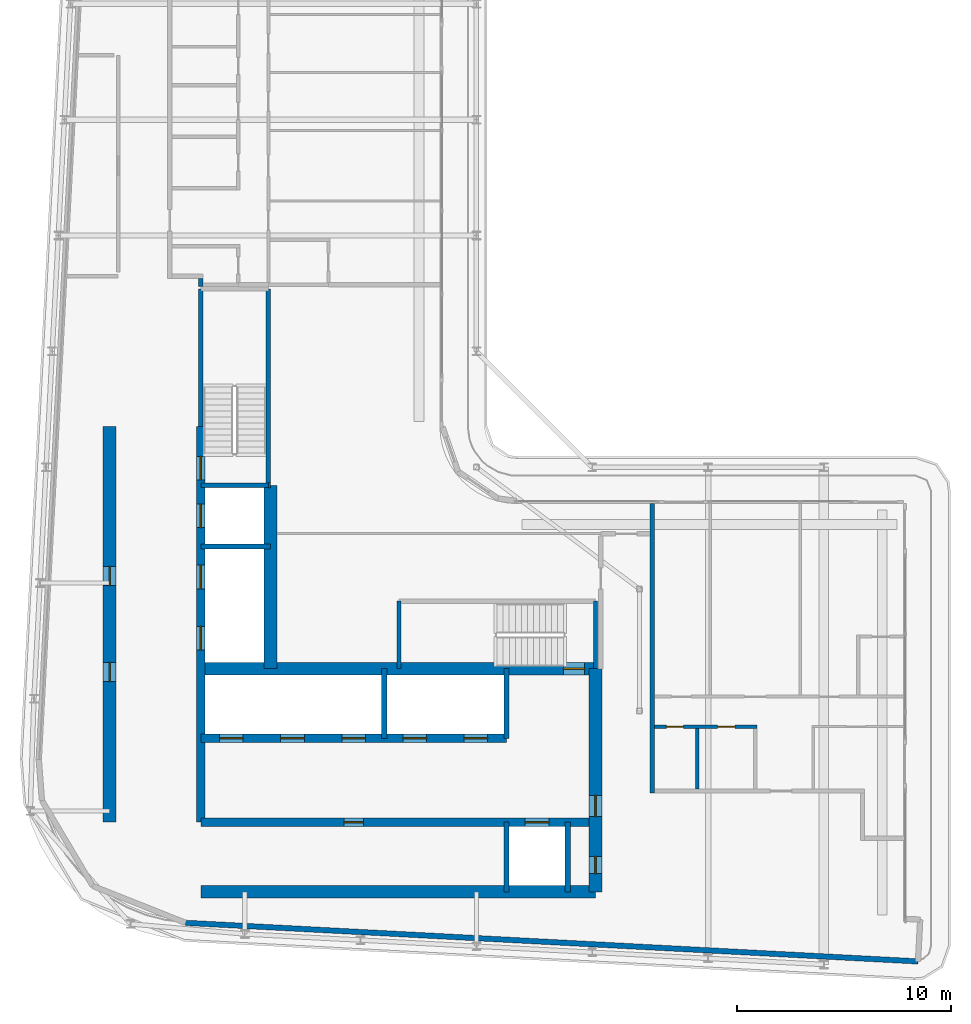
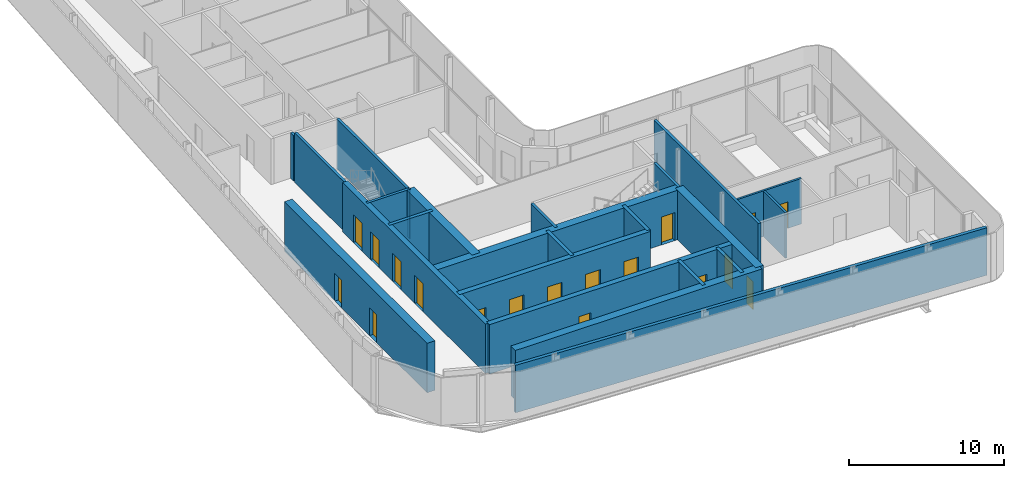
# One storey, part 11 of 21: 24 walls, 18 doors, 18 openings.
"""IFC4 building model written with IfcOpenShell, lengths in metres."""

from ifc_helpers import new_model, si_unit, direction, frame, frame_2d, origin, place, context, subcontext, project, spatial, rectangle, extrude, source, transform, mapped, material, layer, layer_set, type_object, element, fill, save


model = new_model("IFC4")

# Units and contexts
model_context = context("Model", 3, precision=1e-05, world=origin(), true_north=direction((0.0, 1.0)))
body_context = subcontext(model_context, "Body", "Model", "MODEL_VIEW")
ifc_project = project(units=[si_unit("LENGTHUNIT", "METRE"), si_unit("AREAUNIT", "SQUARE_METRE"), si_unit("VOLUMEUNIT", "CUBIC_METRE"), si_unit("PLANEANGLEUNIT", "RADIAN"), si_unit("MASSUNIT", "GRAM", prefix="KILO")], contexts=[model_context])

# Site, building, storey
site_placement = place(None, origin())
site = spatial("IfcSite", under=ifc_project, at=site_placement, CompositionType="ELEMENT")
building_placement = place(site_placement, origin())
building = spatial("IfcBuilding", under=site, at=building_placement, Name="Kheshtan School and Residences Tower", CompositionType="ELEMENT")
storey_placement = place(building_placement, frame((0.0, 0.0, 305.89990234375)))
storey = spatial("IfcBuildingStorey", under=building, at=storey_placement, Name="L72", CompositionType="ELEMENT", Elevation=305.89990234375)

# Wall, openings, doors
ifc_material_1 = material(Name="Concrete C50/60", Category="concrete")
ifc_layer_1 = layer(ifc_material_1, 0.39990234375)
ifc_layer_set_1 = layer_set([ifc_layer_1], Name="Core wall 400 Concrete C50/60")
wall_type_1 = type_object("IfcWallType", Name="Core wall 400 Concrete C50/60", PredefinedType="SHEAR", material=ifc_layer_set_1)
wall_1_placement = place(storey_placement, frame((34.75, 29.050048828125, 0.0), z_axis=(0.0, 0.0, 1.0), x_axis=(1.0, 0.0, 0.0)))
wall_1 = element("IfcWall", 1, at=wall_1_placement, inside=storey, type_object=wall_type_1, Name="Core wall CW-HALL-S1", PredefinedType="SHEAR", context=body_context, shape_type="SweptSolid", body=[
    extrude(rectangle(XDim=18.39990234375, YDim=0.39990234375, at=frame_2d((9.199951171875, 0.0))), origin(), (0.0, 0.0, 1.0), 3.900146484375),
])
opening_1_placement = place(wall_1_placement, frame((15.125, 0.0, 0.0)))
opening_1 = element("IfcOpeningElement", 2, at=opening_1_placement, cuts=wall_1, Name="Opening LD", PredefinedType="OPENING", context=body_context, shape_type="SweptSolid", body=[
    extrude(rectangle(XDim=1.10009765625, YDim=2.199951171875, at=frame_2d((0.550048828125, 1.10009765625))), frame((0.0, 0.2099609375, 0.0), z_axis=(0.0, -1.0, 0.0), x_axis=(1.0, 0.0, 0.0)), (0.0, 0.0, 1.0), 0.419921875),
])
opening_2_placement = place(wall_1_placement, frame((6.675048828125, 0.0, 0.0)))
opening_2 = element("IfcOpeningElement", 3, at=opening_2_placement, cuts=wall_1, Name="Opening SR90", PredefinedType="OPENING", context=body_context, shape_type="SweptSolid", body=[
    extrude(rectangle(XDim=0.89990234375, YDim=2.199951171875, at=frame_2d((0.449951171875, 1.10009765625))), frame((0.0, 0.2099609375, 0.0), z_axis=(0.0, -1.0, 0.0), x_axis=(1.0, 0.0, 0.0)), (0.0, 0.0, 1.0), 0.419921875),
])
ifc_material_2 = material(Name="Stainless steel door leaves", Category="steel")
door_type_1 = type_object("IfcDoorType", Name="Lift landing door 1100", OperationType="SLIDING_TO_LEFT", PredefinedType="DOOR", material=ifc_material_2)
shared_shape_1 = source(origin(), body_context, "Body", "SweptSolid", [
    extrude(rectangle(XDim=1.10009765625, YDim=2.199951171875, at=frame_2d((0.550048828125, 1.10009765625))), frame((0.0, 0.02490234375, 0.0), z_axis=(0.0, -1.0, 0.0), x_axis=(1.0, 0.0, 0.0)), (0.0, 0.0, 1.0), 0.050048828125),
])
door_1_placement = place(opening_1_placement, origin())
door_1 = element("IfcDoor", 4, at=door_1_placement, inside=storey, type_object=door_type_1, Name="Lift FFL2 landing door", OperationType="SLIDING_TO_LEFT", OverallHeight=2.199951171875, OverallWidth=1.10009765625, PredefinedType="DOOR", context=body_context, shape_type="MappedRepresentation", body=[
    mapped(shared_shape_1, transform((0.0, 0.0, 0.0), x_axis=(1.0, 0.0, 0.0), y_axis=(0.0, 1.0, 0.0), z_axis=(0.0, 0.0, 1.0), scale=1.0)),
])
fill(opening_1, door_1)
ifc_material_3 = material(Name="Steel door leaf, galvanised", Category="steel")
door_type_2 = type_object("IfcDoorType", Name="Service room door 900 steel 90 min", OperationType="SINGLE_SWING_LEFT", PredefinedType="DOOR", material=ifc_material_3)
shared_shape_2 = source(origin(), body_context, "Body", "SweptSolid", [
    extrude(rectangle(XDim=0.89990234375, YDim=2.199951171875, at=frame_2d((0.449951171875, 1.10009765625))), frame((0.0, 0.02490234375, 0.0), z_axis=(0.0, -1.0, 0.0), x_axis=(1.0, 0.0, 0.0)), (0.0, 0.0, 1.0), 0.050048828125),
])
door_2_placement = place(opening_2_placement, origin())
door_2 = element("IfcDoor", 5, at=door_2_placement, inside=storey, type_object=door_type_2, Name="Service room door", OperationType="SINGLE_SWING_RIGHT", OverallHeight=2.199951171875, OverallWidth=0.89990234375, PredefinedType="DOOR", context=body_context, shape_type="MappedRepresentation", body=[
    mapped(shared_shape_2, transform((0.0, 0.0, 0.0), x_axis=(1.0, 0.0, 0.0), y_axis=(0.0, 1.0, 0.0), z_axis=(0.0, 0.0, 1.0), scale=1.0)),
])
fill(opening_2, door_2)

wall_2_placement = place(storey_placement, frame((34.75, 32.949951171875, 0.0), z_axis=(0.0, 0.0, 1.0), x_axis=(1.0, 0.0, 0.0)))
wall_2 = element("IfcWall", 6, at=wall_2_placement, inside=storey, type_object=wall_type_1, Name="Core wall CW-HALL-S2", PredefinedType="SHEAR", context=body_context, shape_type="SweptSolid", body=[
    extrude(rectangle(XDim=14.25, YDim=0.39990234375, at=frame_2d((7.125, 0.0))), origin(), (0.0, 0.0, 1.0), 3.900146484375),
])
opening_3_placement = place(wall_2_placement, frame((0.875, 0.0, 0.0)))
opening_3 = element("IfcOpeningElement", 7, at=opening_3_placement, cuts=wall_2, Name="Opening LD", PredefinedType="OPENING", context=body_context, shape_type="SweptSolid", body=[
    extrude(rectangle(XDim=1.10009765625, YDim=2.199951171875, at=frame_2d((0.550048828125, 1.10009765625))), frame((0.0, 0.2099609375, 0.0), z_axis=(0.0, -1.0, 0.0), x_axis=(1.0, 0.0, 0.0)), (0.0, 0.0, 1.0), 0.419921875),
])
opening_4_placement = place(wall_2_placement, frame((3.72509765625, 0.0, 0.0)))
opening_4 = element("IfcOpeningElement", 8, at=opening_4_placement, cuts=wall_2, Name="Opening LD", PredefinedType="OPENING", context=body_context, shape_type="SweptSolid", body=[
    extrude(rectangle(XDim=1.10009765625, YDim=2.199951171875, at=frame_2d((0.550048828125, 1.10009765625))), frame((0.0, 0.2099609375, 0.0), z_axis=(0.0, -1.0, 0.0), x_axis=(1.0, 0.0, 0.0)), (0.0, 0.0, 1.0), 0.419921875),
])
opening_5_placement = place(wall_2_placement, frame((6.574951171875, 0.0, 0.0)))
opening_5 = element("IfcOpeningElement", 9, at=opening_5_placement, cuts=wall_2, Name="Opening LD", PredefinedType="OPENING", context=body_context, shape_type="SweptSolid", body=[
    extrude(rectangle(XDim=1.10009765625, YDim=2.199951171875, at=frame_2d((0.550048828125, 1.10009765625))), frame((0.0, 0.2099609375, 0.0), z_axis=(0.0, -1.0, 0.0), x_axis=(1.0, 0.0, 0.0)), (0.0, 0.0, 1.0), 0.419921875),
])
opening_6_placement = place(wall_2_placement, frame((9.425048828125, 0.0, 0.0)))
opening_6 = element("IfcOpeningElement", 10, at=opening_6_placement, cuts=wall_2, Name="Opening LD", PredefinedType="OPENING", context=body_context, shape_type="SweptSolid", body=[
    extrude(rectangle(XDim=1.10009765625, YDim=2.199951171875, at=frame_2d((0.550048828125, 1.10009765625))), frame((0.0, 0.2099609375, 0.0), z_axis=(0.0, -1.0, 0.0), x_axis=(1.0, 0.0, 0.0)), (0.0, 0.0, 1.0), 0.419921875),
])
opening_7_placement = place(wall_2_placement, frame((12.27490234375, 0.0, 0.0)))
opening_7 = element("IfcOpeningElement", 11, at=opening_7_placement, cuts=wall_2, Name="Opening LD", PredefinedType="OPENING", context=body_context, shape_type="SweptSolid", body=[
    extrude(rectangle(XDim=1.10009765625, YDim=2.199951171875, at=frame_2d((0.550048828125, 1.10009765625))), frame((0.0, 0.2099609375, 0.0), z_axis=(0.0, -1.0, 0.0), x_axis=(1.0, 0.0, 0.0)), (0.0, 0.0, 1.0), 0.419921875),
])
door_3_placement = place(opening_3_placement, origin())
door_3 = element("IfcDoor", 12, at=door_3_placement, inside=storey, type_object=door_type_1, Name="Lift P12 landing door", OperationType="SLIDING_TO_LEFT", OverallHeight=2.199951171875, OverallWidth=1.10009765625, PredefinedType="DOOR", context=body_context, shape_type="MappedRepresentation", body=[
    mapped(shared_shape_1, transform((0.0, 0.0, 0.0), x_axis=(1.0, 0.0, 0.0), y_axis=(0.0, 1.0, 0.0), z_axis=(0.0, 0.0, 1.0), scale=1.0)),
])
fill(opening_3, door_3)
door_4_placement = place(opening_4_placement, origin())
door_4 = element("IfcDoor", 13, at=door_4_placement, inside=storey, type_object=door_type_1, Name="Lift P13 landing door", OperationType="SLIDING_TO_LEFT", OverallHeight=2.199951171875, OverallWidth=1.10009765625, PredefinedType="DOOR", context=body_context, shape_type="MappedRepresentation", body=[
    mapped(shared_shape_1, transform((0.0, 0.0, 0.0), x_axis=(1.0, 0.0, 0.0), y_axis=(0.0, 1.0, 0.0), z_axis=(0.0, 0.0, 1.0), scale=1.0)),
])
fill(opening_4, door_4)
door_5_placement = place(opening_5_placement, origin())
door_5 = element("IfcDoor", 14, at=door_5_placement, inside=storey, type_object=door_type_1, Name="Lift P14 landing door", OperationType="SLIDING_TO_LEFT", OverallHeight=2.199951171875, OverallWidth=1.10009765625, PredefinedType="DOOR", context=body_context, shape_type="MappedRepresentation", body=[
    mapped(shared_shape_1, transform((0.0, 0.0, 0.0), x_axis=(1.0, 0.0, 0.0), y_axis=(0.0, 1.0, 0.0), z_axis=(0.0, 0.0, 1.0), scale=1.0)),
])
fill(opening_5, door_5)
door_6_placement = place(opening_6_placement, origin())
door_6 = element("IfcDoor", 15, at=door_6_placement, inside=storey, type_object=door_type_1, Name="Lift P15 landing door", OperationType="SLIDING_TO_LEFT", OverallHeight=2.199951171875, OverallWidth=1.10009765625, PredefinedType="DOOR", context=body_context, shape_type="MappedRepresentation", body=[
    mapped(shared_shape_1, transform((0.0, 0.0, 0.0), x_axis=(1.0, 0.0, 0.0), y_axis=(0.0, 1.0, 0.0), z_axis=(0.0, 0.0, 1.0), scale=1.0)),
])
fill(opening_6, door_6)
door_7_placement = place(opening_7_placement, origin())
door_7 = element("IfcDoor", 16, at=door_7_placement, inside=storey, type_object=door_type_1, Name="Lift P16 landing door", OperationType="SLIDING_TO_LEFT", OverallHeight=2.199951171875, OverallWidth=1.10009765625, PredefinedType="DOOR", context=body_context, shape_type="MappedRepresentation", body=[
    mapped(shared_shape_1, transform((0.0, 0.0, 0.0), x_axis=(1.0, 0.0, 0.0), y_axis=(0.0, 1.0, 0.0), z_axis=(0.0, 0.0, 1.0), scale=1.0)),
])
fill(opening_7, door_7)

wall_3_placement = place(storey_placement, frame((34.75, 29.050048828125, 0.0), z_axis=(0.0, 0.0, 1.0), x_axis=(0.0, 1.0, 0.0)))
wall_3 = element("IfcWall", 17, at=wall_3_placement, inside=storey, type_object=wall_type_1, Name="Core wall CW-HALL-W1", PredefinedType="SHEAR", context=body_context, shape_type="SweptSolid", body=[
    extrude(rectangle(XDim=18.449951171875, YDim=0.39990234375, at=frame_2d((9.22509765625, 0.0))), origin(), (0.0, 0.0, 1.0), 3.900146484375),
])
opening_8_placement = place(wall_3_placement, frame((8.02490234375, 0.0, 0.0)))
opening_8 = element("IfcOpeningElement", 18, at=opening_8_placement, cuts=wall_3, Name="Opening LD", PredefinedType="OPENING", context=body_context, shape_type="SweptSolid", body=[
    extrude(rectangle(XDim=1.10009765625, YDim=2.199951171875, at=frame_2d((0.550048828125, 1.10009765625))), frame((0.0, 0.2099609375, 0.0), z_axis=(0.0, -1.0, 0.0), x_axis=(1.0, 0.0, 0.0)), (0.0, 0.0, 1.0), 0.419921875),
])
opening_9_placement = place(wall_3_placement, frame((10.875, 0.0, 0.0)))
opening_9 = element("IfcOpeningElement", 19, at=opening_9_placement, cuts=wall_3, Name="Opening LD", PredefinedType="OPENING", context=body_context, shape_type="SweptSolid", body=[
    extrude(rectangle(XDim=1.10009765625, YDim=2.199951171875, at=frame_2d((0.550048828125, 1.10009765625))), frame((0.0, 0.2099609375, 0.0), z_axis=(0.0, -1.0, 0.0), x_axis=(1.0, 0.0, 0.0)), (0.0, 0.0, 1.0), 0.419921875),
])
opening_10_placement = place(wall_3_placement, frame((13.72509765625, 0.0, 0.0)))
opening_10 = element("IfcOpeningElement", 20, at=opening_10_placement, cuts=wall_3, Name="Opening LD", PredefinedType="OPENING", context=body_context, shape_type="SweptSolid", body=[
    extrude(rectangle(XDim=1.10009765625, YDim=2.199951171875, at=frame_2d((0.550048828125, 1.10009765625))), frame((0.0, 0.2099609375, 0.0), z_axis=(0.0, -1.0, 0.0), x_axis=(1.0, 0.0, 0.0)), (0.0, 0.0, 1.0), 0.419921875),
])
opening_11_placement = place(wall_3_placement, frame((15.949951171875, 0.0, 0.0)))
opening_11 = element("IfcOpeningElement", 21, at=opening_11_placement, cuts=wall_3, Name="Opening ST2D", PredefinedType="OPENING", context=body_context, shape_type="SweptSolid", body=[
    extrude(rectangle(XDim=1.10009765625, YDim=2.199951171875, at=frame_2d((0.550048828125, 1.10009765625))), frame((0.0, 0.2099609375, 0.0), z_axis=(0.0, -1.0, 0.0), x_axis=(1.0, 0.0, 0.0)), (0.0, 0.0, 1.0), 0.419921875),
])
door_8_placement = place(opening_8_placement, origin())
door_8 = element("IfcDoor", 22, at=door_8_placement, inside=storey, type_object=door_type_1, Name="Lift SV1 landing door", OperationType="SLIDING_TO_LEFT", OverallHeight=2.199951171875, OverallWidth=1.10009765625, PredefinedType="DOOR", context=body_context, shape_type="MappedRepresentation", body=[
    mapped(shared_shape_1, transform((0.0, 0.0, 0.0), x_axis=(1.0, 0.0, 0.0), y_axis=(0.0, 1.0, 0.0), z_axis=(0.0, 0.0, 1.0), scale=1.0)),
])
fill(opening_8, door_8)
door_9_placement = place(opening_9_placement, origin())
door_9 = element("IfcDoor", 23, at=door_9_placement, inside=storey, type_object=door_type_1, Name="Lift SV2 landing door", OperationType="SLIDING_TO_LEFT", OverallHeight=2.199951171875, OverallWidth=1.10009765625, PredefinedType="DOOR", context=body_context, shape_type="MappedRepresentation", body=[
    mapped(shared_shape_1, transform((0.0, 0.0, 0.0), x_axis=(1.0, 0.0, 0.0), y_axis=(0.0, 1.0, 0.0), z_axis=(0.0, 0.0, 1.0), scale=1.0)),
])
fill(opening_9, door_9)
door_10_placement = place(opening_10_placement, origin())
door_10 = element("IfcDoor", 24, at=door_10_placement, inside=storey, type_object=door_type_1, Name="Lift FFL1 landing door", OperationType="SLIDING_TO_LEFT", OverallHeight=2.199951171875, OverallWidth=1.10009765625, PredefinedType="DOOR", context=body_context, shape_type="MappedRepresentation", body=[
    mapped(shared_shape_1, transform((0.0, 0.0, 0.0), x_axis=(1.0, 0.0, 0.0), y_axis=(0.0, 1.0, 0.0), z_axis=(0.0, 0.0, 1.0), scale=1.0)),
])
fill(opening_10, door_10)
door_type_3 = type_object("IfcDoorType", Name="Stair door 1100 steel 90 min", OperationType="SINGLE_SWING_LEFT", PredefinedType="DOOR", material=ifc_material_3)
shared_shape_3 = source(origin(), body_context, "Body", "SweptSolid", [
    extrude(rectangle(XDim=1.10009765625, YDim=2.199951171875, at=frame_2d((0.550048828125, 1.10009765625))), frame((0.0, 0.02490234375, 0.0), z_axis=(0.0, -1.0, 0.0), x_axis=(1.0, 0.0, 0.0)), (0.0, 0.0, 1.0), 0.050048828125),
])
door_11_placement = place(opening_11_placement, origin())
door_11 = element("IfcDoor", 25, at=door_11_placement, inside=storey, type_object=door_type_3, Name="Stair ST2 door", OperationType="SINGLE_SWING_RIGHT", OverallHeight=2.199951171875, OverallWidth=1.10009765625, PredefinedType="DOOR", context=body_context, shape_type="MappedRepresentation", body=[
    mapped(shared_shape_3, transform((0.0, 0.0, 0.0), x_axis=(1.0, 0.0, 0.0), y_axis=(0.0, 1.0, 0.0), z_axis=(0.0, 0.0, 1.0), scale=1.0)),
])
fill(opening_11, door_11)

# Wall
ifc_material_4 = material(Name="Concrete C60/75", Category="concrete")
ifc_layer_2 = layer(ifc_material_4, 0.60009765625)
ifc_layer_set_2 = layer_set([ifc_layer_2], Name="Core wall 600 Concrete C60/75")
wall_type_2 = type_object("IfcWallType", Name="Core wall 600 Concrete C60/75", PredefinedType="SHEAR", material=ifc_layer_set_2)
wall_4_placement = place(storey_placement, frame((34.75, 25.800048828125, 0.0), z_axis=(0.0, 0.0, 1.0), x_axis=(1.0, 0.0, 0.0)))
element("IfcWall", 26, at=wall_4_placement, inside=storey, type_object=wall_type_2, Name="Core wall CW-REAR-S", PredefinedType="SHEAR", context=body_context, shape_type="SweptSolid", body=[
    extrude(rectangle(XDim=18.39990234375, YDim=0.60009765625, at=frame_2d((9.199951171875, 0.0))), origin(), (0.0, 0.0, 1.0), 3.900146484375),
])

# Wall, opening, door
wall_5_placement = place(storey_placement, frame((34.75, 36.199951171875, 0.0), z_axis=(0.0, 0.0, 1.0), x_axis=(1.0, 0.0, 0.0)))
wall_5 = element("IfcWall", 27, at=wall_5_placement, inside=storey, type_object=wall_type_2, Name="Core wall CW-FRONT-S", PredefinedType="SHEAR", context=body_context, shape_type="SweptSolid", body=[
    extrude(rectangle(XDim=18.39990234375, YDim=0.60009765625, at=frame_2d((9.199951171875, 0.0))), origin(), (0.0, 0.0, 1.0), 3.900146484375),
])
opening_12_placement = place(wall_5_placement, frame((16.89990234375, 0.0, 0.0)))
opening_12 = element("IfcOpeningElement", 28, at=opening_12_placement, cuts=wall_5, Name="Opening ST1D", PredefinedType="OPENING", context=body_context, shape_type="SweptSolid", body=[
    extrude(rectangle(XDim=1.0, YDim=2.199951171875, at=frame_2d((0.5, 1.10009765625))), frame((0.0, 0.31005859375, 0.0), z_axis=(0.0, -1.0, 0.0), x_axis=(1.0, 0.0, 0.0)), (0.0, 0.0, 1.0), 0.6201171875),
])
shared_shape_4 = source(origin(), body_context, "Body", "SweptSolid", [
    extrude(rectangle(XDim=1.0, YDim=2.199951171875, at=frame_2d((0.5, 1.10009765625))), frame((0.0, 0.02490234375, 0.0), z_axis=(0.0, -1.0, 0.0), x_axis=(1.0, 0.0, 0.0)), (0.0, 0.0, 1.0), 0.050048828125),
])
door_12_placement = place(opening_12_placement, origin())
door_12 = element("IfcDoor", 29, at=door_12_placement, inside=storey, type_object=door_type_3, Name="Stair ST1 door", OperationType="SINGLE_SWING_RIGHT", OverallHeight=2.199951171875, OverallWidth=1.0, PredefinedType="DOOR", context=body_context, shape_type="MappedRepresentation", body=[
    mapped(shared_shape_4, transform((0.0, 0.0, 0.0), x_axis=(1.0, 0.0, 0.0), y_axis=(0.0, 1.0, 0.0), z_axis=(0.0, 0.0, 1.0), scale=1.0)),
])
fill(opening_12, door_12)

# Wall
wall_6_placement = place(storey_placement, frame((38.0, 36.199951171875, 0.0), z_axis=(0.0, 0.0, 1.0), x_axis=(0.0, 1.0, 0.0)))
element("IfcWall", 30, at=wall_6_placement, inside=storey, type_object=wall_type_2, Name="Core wall CW-FRONT-W", PredefinedType="SHEAR", context=body_context, shape_type="SweptSolid", body=[
    extrude(rectangle(XDim=8.550048828125, YDim=0.60009765625, at=frame_2d((4.27490234375, 0.0))), origin(), (0.0, 0.0, 1.0), 3.900146484375),
])

# Wall, openings, doors
wall_7_placement = place(storey_placement, frame((30.5, 29.050048828125, 0.0), z_axis=(0.0, 0.0, 1.0), x_axis=(0.0, 1.0, 0.0)))
wall_7 = element("IfcWall", 31, at=wall_7_placement, inside=storey, type_object=wall_type_2, Name="Core wall CW-REAR-W", PredefinedType="SHEAR", context=body_context, shape_type="SweptSolid", body=[
    extrude(rectangle(XDim=18.449951171875, YDim=0.60009765625, at=frame_2d((9.22509765625, 0.0))), origin(), (0.0, 0.0, 1.0), 3.900146484375),
])
opening_13_placement = place(wall_7_placement, frame((6.550048828125, 0.0, 0.0)))
opening_13 = element("IfcOpeningElement", 32, at=opening_13_placement, cuts=wall_7, Name="Opening SR90", PredefinedType="OPENING", context=body_context, shape_type="SweptSolid", body=[
    extrude(rectangle(XDim=0.89990234375, YDim=2.199951171875, at=frame_2d((0.449951171875, 1.10009765625))), frame((0.0, 0.31005859375, 0.0), z_axis=(0.0, -1.0, 0.0), x_axis=(1.0, 0.0, 0.0)), (0.0, 0.0, 1.0), 0.6201171875),
])
opening_14_placement = place(wall_7_placement, frame((11.02490234375, 0.0, 0.0)))
opening_14 = element("IfcOpeningElement", 33, at=opening_14_placement, cuts=wall_7, Name="Opening SR90", PredefinedType="OPENING", context=body_context, shape_type="SweptSolid", body=[
    extrude(rectangle(XDim=0.89990234375, YDim=2.199951171875, at=frame_2d((0.449951171875, 1.10009765625))), frame((0.0, 0.31005859375, 0.0), z_axis=(0.0, -1.0, 0.0), x_axis=(1.0, 0.0, 0.0)), (0.0, 0.0, 1.0), 0.6201171875),
])
door_13_placement = place(opening_13_placement, origin())
door_13 = element("IfcDoor", 34, at=door_13_placement, inside=storey, type_object=door_type_2, Name="Service room door", OperationType="SINGLE_SWING_RIGHT", OverallHeight=2.199951171875, OverallWidth=0.89990234375, PredefinedType="DOOR", context=body_context, shape_type="MappedRepresentation", body=[
    mapped(shared_shape_2, transform((0.0, 0.0, 0.0), x_axis=(1.0, 0.0, 0.0), y_axis=(0.0, 1.0, 0.0), z_axis=(0.0, 0.0, 1.0), scale=1.0)),
])
fill(opening_13, door_13)
door_14_placement = place(opening_14_placement, origin())
door_14 = element("IfcDoor", 35, at=door_14_placement, inside=storey, type_object=door_type_2, Name="Service room door", OperationType="SINGLE_SWING_RIGHT", OverallHeight=2.199951171875, OverallWidth=0.89990234375, PredefinedType="DOOR", context=body_context, shape_type="MappedRepresentation", body=[
    mapped(shared_shape_2, transform((0.0, 0.0, 0.0), x_axis=(1.0, 0.0, 0.0), y_axis=(0.0, 1.0, 0.0), z_axis=(0.0, 0.0, 1.0), scale=1.0)),
])
fill(opening_14, door_14)

wall_8_placement = place(storey_placement, frame((53.14990234375, 25.800048828125, 0.0), z_axis=(0.0, 0.0, 1.0), x_axis=(0.0, 1.0, 0.0)))
wall_8 = element("IfcWall", 36, at=wall_8_placement, inside=storey, type_object=wall_type_2, Name="Core wall CW-EAST", PredefinedType="SHEAR", context=body_context, shape_type="SweptSolid", body=[
    extrude(rectangle(XDim=10.39990234375, YDim=0.60009765625, at=frame_2d((5.199951171875, 0.0))), origin(), (0.0, 0.0, 1.0), 3.900146484375),
])
opening_15_placement = place(wall_8_placement, frame((0.85009765625, 0.0, 0.0)))
opening_15 = element("IfcOpeningElement", 37, at=opening_15_placement, cuts=wall_8, Name="Opening SR80", PredefinedType="OPENING", context=body_context, shape_type="SweptSolid", body=[
    extrude(rectangle(XDim=0.800048828125, YDim=2.199951171875, at=frame_2d((0.39990234375, 1.10009765625))), frame((0.0, 0.31005859375, 0.0), z_axis=(0.0, -1.0, 0.0), x_axis=(1.0, 0.0, 0.0)), (0.0, 0.0, 1.0), 0.6201171875),
])
opening_16_placement = place(wall_8_placement, frame((3.5, 0.0, 0.0)))
opening_16 = element("IfcOpeningElement", 38, at=opening_16_placement, cuts=wall_8, Name="Opening SD91", PredefinedType="OPENING", context=body_context, shape_type="SweptSolid", body=[
    extrude(rectangle(XDim=1.0, YDim=2.199951171875, at=frame_2d((0.5, 1.10009765625))), frame((0.0, 0.31005859375, 0.0), z_axis=(0.0, -1.0, 0.0), x_axis=(1.0, 0.0, 0.0)), (0.0, 0.0, 1.0), 0.6201171875),
])
door_type_4 = type_object("IfcDoorType", Name="Service room door 800 steel 90 min", OperationType="SINGLE_SWING_LEFT", PredefinedType="DOOR", material=ifc_material_3)
shared_shape_5 = source(origin(), body_context, "Body", "SweptSolid", [
    extrude(rectangle(XDim=0.800048828125, YDim=2.199951171875, at=frame_2d((0.39990234375, 1.10009765625))), frame((0.0, 0.02490234375, 0.0), z_axis=(0.0, -1.0, 0.0), x_axis=(1.0, 0.0, 0.0)), (0.0, 0.0, 1.0), 0.050048828125),
])
door_15_placement = place(opening_15_placement, origin())
door_15 = element("IfcDoor", 39, at=door_15_placement, inside=storey, type_object=door_type_4, Name="Service room door", OperationType="SINGLE_SWING_LEFT", OverallHeight=2.199951171875, OverallWidth=0.800048828125, PredefinedType="DOOR", context=body_context, shape_type="MappedRepresentation", body=[
    mapped(shared_shape_5, transform((0.0, 0.0, 0.0), x_axis=(1.0, 0.0, 0.0), y_axis=(0.0, 1.0, 0.0), z_axis=(0.0, 0.0, 1.0), scale=1.0)),
])
fill(opening_15, door_15)
door_type_5 = type_object("IfcDoorType", Name="Firefighting lobby door 1000 steel 90 min", OperationType="SINGLE_SWING_LEFT", PredefinedType="DOOR", material=ifc_material_3)
shared_shape_6 = source(origin(), body_context, "Body", "SweptSolid", [
    extrude(rectangle(XDim=1.0, YDim=2.199951171875, at=frame_2d((0.5, 1.10009765625))), frame((0.0, 0.02490234375, 0.0), z_axis=(0.0, -1.0, 0.0), x_axis=(1.0, 0.0, 0.0)), (0.0, 0.0, 1.0), 0.050048828125),
])
door_16_placement = place(opening_16_placement, origin())
door_16 = element("IfcDoor", 40, at=door_16_placement, inside=storey, type_object=door_type_5, Name="Firefighting lobby door", OperationType="SINGLE_SWING_LEFT", OverallHeight=2.199951171875, OverallWidth=1.0, PredefinedType="DOOR", context=body_context, shape_type="MappedRepresentation", body=[
    mapped(shared_shape_6, transform((0.0, 0.0, 0.0), x_axis=(1.0, 0.0, 0.0), y_axis=(0.0, 1.0, 0.0), z_axis=(0.0, 0.0, 1.0), scale=1.0)),
])
fill(opening_16, door_16)

# Walls
ifc_material_5 = material(Name="Gypsum board on steel studs with fire boards", Category="steel")
ifc_layer_3 = layer(ifc_material_5, 0.199951171875)
ifc_layer_set_3 = layer_set([ifc_layer_3], Name="Corridor wall 200")
wall_type_3 = type_object("IfcWallType", Name="Corridor wall 200", PredefinedType="PARTITIONING", material=ifc_layer_set_3)
wall_9_placement = place(storey_placement, frame((34.75, 54.02490234375, 0.0), z_axis=(0.0, 0.0, 1.0), x_axis=(0.0, 1.0, 0.0)))
element("IfcWall", 41, at=wall_9_placement, inside=storey, type_object=wall_type_3, Name="Partition L72-018", PredefinedType="PARTITIONING", context=body_context, shape_type="SweptSolid", body=[
    extrude(rectangle(XDim=0.375, YDim=0.199951171875, at=frame_2d((0.1875, 0.0))), origin(), (0.0, 0.0, 1.0), 3.60009765625),
])
ifc_material_6 = material(Name="Concrete C40/50 with ceramic cladding and mineral wool insulation", Category="concrete")
ifc_layer_4 = layer(ifc_material_6, 0.25)
ifc_layer_set_4 = layer_set([ifc_layer_4], Name="External wall 250 ceramic clad")
wall_type_4 = type_object("IfcWallType", Name="External wall 250 ceramic clad", PredefinedType="SOLIDWALL", material=ifc_layer_set_4)
wall_10_placement = place(storey_placement, frame((68.18603515625, 22.554931640625, 0.0), z_axis=(0.0, 0.0, 1.0), x_axis=(-0.998616468095, 0.052584690257, 0.0)))
element("IfcWall", 42, at=wall_10_placement, inside=storey, type_object=wall_type_4, Name="External wall L72 16", PredefinedType="SOLIDWALL", context=body_context, shape_type="SweptSolid", body=[
    extrude(rectangle(XDim=34.1943359375, YDim=0.25, at=frame_2d((17.09716796875, 0.0))), origin(), (0.0, 0.0, 1.0), 3.75),
])
ifc_material_7 = material(Name="Fire-board shaft wall system")
ifc_layer_5 = layer(ifc_material_7, 0.25)
ifc_layer_set_5 = layer_set([ifc_layer_5], Name="Shaft lining wall 250")
wall_type_5 = type_object("IfcWallType", Name="Shaft lining wall 250", PredefinedType="PARTITIONING", material=ifc_layer_set_5)
for number, where, z_axis, x_axis, name in (
    (43, (43.300048828125, 32.949951171875, 0.0), (0.0, 0.0, 1.0), (0.0, 1.0, 0.0), "Shaft lining wall"),
    (44, (49.0, 25.800048828125, 0.0), (0.0, 0.0, 1.0), (0.0, 1.0, 0.0), "Shaft lining wall"),
    (45, (49.0, 32.949951171875, 0.0), (0.0, 0.0, 1.0), (0.0, 1.0, 0.0), "Shaft lining wall"),
    (46, (51.85009765625, 25.800048828125, 0.0), (0.0, 0.0, 1.0), (0.0, 1.0, 0.0), "Shaft lining wall"),
    (47, (34.75, 41.89990234375, 0.0), (0.0, 0.0, 1.0), (1.0, 0.0, 0.0), "Shaft lining wall"),
):
    element("IfcWall", number, at=place(storey_placement, frame(where, z_axis=z_axis, x_axis=x_axis)), inside=storey, type_object=wall_type_5, Name=name, PredefinedType="PARTITIONING", context=body_context, shape_type="SweptSolid", body=[
        extrude(rectangle(XDim=3.25, YDim=0.25, at=frame_2d((1.625, 0.0))), origin(), (0.0, 0.0, 1.0), 3.900146484375),
    ])
wall_11_placement = place(storey_placement, frame((37.89990234375, 44.75, 0.0), z_axis=(0.0, 0.0, 1.0), x_axis=(1.0, 0.0, 0.0)))
element("IfcWall", 48, at=wall_11_placement, inside=storey, type_object=wall_type_5, Name="Shaft lining wall", PredefinedType="PARTITIONING", context=body_context, shape_type="SweptSolid", body=[
    extrude(rectangle(XDim=0.10009765625, YDim=0.25, at=frame_2d((0.050048828125, 0.0))), origin(), (0.0, 0.0, 1.0), 3.900146484375),
])
ifc_material_8 = material(Name="Concrete C40/50", Category="concrete")
ifc_layer_6 = layer(ifc_material_8, 0.199951171875)
ifc_layer_set_6 = layer_set([ifc_layer_6], Name="Stair enclosure wall 200 Concrete C40/50")
wall_type_6 = type_object("IfcWallType", Name="Stair enclosure wall 200 Concrete C40/50", PredefinedType="SHEAR", material=ifc_layer_set_6)
for number, where, z_axis, x_axis, name in (
    (49, (43.989990234375, 36.199951171875, 0.0), (0.0, 0.0, 1.0), (0.0, 1.0, 0.0), "Stair enclosure wall ST1"),
    (50, (53.14990234375, 36.199951171875, 0.0), (0.0, 0.0, 1.0), (0.0, 1.0, 0.0), "Stair enclosure wall ST1"),
):
    element("IfcWall", number, at=place(storey_placement, frame(where, z_axis=z_axis, x_axis=x_axis)), inside=storey, type_object=wall_type_6, Name=name, PredefinedType="SHEAR", context=body_context, shape_type="SweptSolid", body=[
        extrude(rectangle(XDim=3.150146484375, YDim=0.199951171875, at=frame_2d((1.5751953125, 0.0))), origin(), (0.0, 0.0, 1.0), 3.900146484375),
    ])
wall_12_placement = place(storey_placement, frame((34.75, 44.75, 0.0), z_axis=(0.0, 0.0, 1.0), x_axis=(1.0, 0.0, 0.0)))
element("IfcWall", 51, at=wall_12_placement, inside=storey, type_object=wall_type_6, Name="Stair enclosure wall ST2", PredefinedType="SHEAR", context=body_context, shape_type="SweptSolid", body=[
    extrude(rectangle(XDim=3.14990234375, YDim=0.199951171875, at=frame_2d((1.574951171875, 0.0))), origin(), (0.0, 0.0, 1.0), 3.900146484375),
])
wall_13_placement = place(storey_placement, frame((34.75, 47.5, 0.0), z_axis=(0.0, 0.0, 1.0), x_axis=(0.0, 1.0, 0.0)))
element("IfcWall", 52, at=wall_13_placement, inside=storey, type_object=wall_type_6, Name="Stair enclosure wall ST2", PredefinedType="SHEAR", context=body_context, shape_type="SweptSolid", body=[
    extrude(rectangle(XDim=6.409912109375, YDim=0.199951171875, at=frame_2d((3.205078125, 0.0))), origin(), (0.0, 0.0, 1.0), 3.900146484375),
])
wall_14_placement = place(storey_placement, frame((37.89990234375, 44.75, 0.0), z_axis=(0.0, 0.0, 1.0), x_axis=(0.0, 1.0, 0.0)))
element("IfcWall", 53, at=wall_14_placement, inside=storey, type_object=wall_type_6, Name="Stair enclosure wall ST2", PredefinedType="SHEAR", context=body_context, shape_type="SweptSolid", body=[
    extrude(rectangle(XDim=9.159912109375, YDim=0.199951171875, at=frame_2d((4.580078125, 0.0))), origin(), (0.0, 0.0, 1.0), 3.900146484375),
])
ifc_material_9 = material(Name="Twin gypsum board on steel studs with mineral wool", Category="steel")
ifc_layer_7 = layer(ifc_material_9, 0.199951171875)
ifc_layer_set_7 = layer_set([ifc_layer_7], Name="Unit demising wall 200")
wall_type_7 = type_object("IfcWallType", Name="Unit demising wall 200", PredefinedType="PARTITIONING", material=ifc_layer_set_7)
wall_15_placement = place(storey_placement, frame((55.800048828125, 30.39990234375, 0.0), z_axis=(0.0, 0.0, 1.0), x_axis=(0.0, 1.0, 0.0)))
element("IfcWall", 54, at=wall_15_placement, inside=storey, type_object=wall_type_7, Name="Partition L72-045", PredefinedType="PARTITIONING", context=body_context, shape_type="SweptSolid", body=[
    extrude(rectangle(XDim=13.5, YDim=0.199951171875, at=frame_2d((6.75, 0.0))), origin(), (0.0, 0.0, 1.0), 3.60009765625),
])

# Wall, openings, doors
ifc_material_10 = material(Name="Moisture-resistant gypsum board on steel studs", Category="steel")
ifc_layer_8 = layer(ifc_material_10, 0.14990234375)
ifc_layer_set_8 = layer_set([ifc_layer_8], Name="Wet-room partition 150")
wall_type_8 = type_object("IfcWallType", Name="Wet-room partition 150", PredefinedType="PARTITIONING", material=ifc_layer_set_8)
wall_16_placement = place(storey_placement, frame((55.89990234375, 33.5, 0.0), z_axis=(0.0, 0.0, 1.0), x_axis=(1.0, 0.0, 0.0)))
wall_16 = element("IfcWall", 55, at=wall_16_placement, inside=storey, type_object=wall_type_8, Name="Partition L72-047", PredefinedType="PARTITIONING", context=body_context, shape_type="SweptSolid", body=[
    extrude(rectangle(XDim=4.775146484375, YDim=0.14990234375, at=frame_2d((2.3876953125, 0.0))), origin(), (0.0, 0.0, 1.0), 3.60009765625),
])
opening_17_placement = place(wall_16_placement, frame((2.949951171875, 0.0, 0.0)))
opening_17 = element("IfcOpeningElement", 56, at=opening_17_placement, cuts=wall_16, Name="Opening D72-001", PredefinedType="OPENING", context=body_context, shape_type="SweptSolid", body=[
    extrude(rectangle(XDim=0.800048828125, YDim=2.10009765625, at=frame_2d((0.39990234375, 1.050048828125))), frame((0.0, 0.0849609375, 0.0), z_axis=(0.0, -1.0, 0.0), x_axis=(1.0, 0.0, 0.0)), (0.0, 0.0, 1.0), 0.169921875),
])
opening_18_placement = place(wall_16_placement, frame((0.550048828125, 0.0, 0.0)))
opening_18 = element("IfcOpeningElement", 57, at=opening_18_placement, cuts=wall_16, Name="Opening D72-008", PredefinedType="OPENING", context=body_context, shape_type="SweptSolid", body=[
    extrude(rectangle(XDim=0.800048828125, YDim=2.10009765625, at=frame_2d((0.39990234375, 1.050048828125))), frame((0.0, 0.0849609375, 0.0), z_axis=(0.0, -1.0, 0.0), x_axis=(1.0, 0.0, 0.0)), (0.0, 0.0, 1.0), 0.169921875),
])
ifc_material_11 = material(Name="Veneered timber door leaf", Category="wood")
door_type_6 = type_object("IfcDoorType", Name="Door 800 x 2100", OperationType="SINGLE_SWING_LEFT", PredefinedType="DOOR", material=ifc_material_11)
shared_shape_7 = source(origin(), body_context, "Body", "SweptSolid", [
    extrude(rectangle(XDim=0.800048828125, YDim=2.10009765625, at=frame_2d((0.39990234375, 1.050048828125))), frame((0.0, 0.02490234375, 0.0), z_axis=(0.0, -1.0, 0.0), x_axis=(1.0, 0.0, 0.0)), (0.0, 0.0, 1.0), 0.050048828125),
])
door_17_placement = place(opening_17_placement, origin())
door_17 = element("IfcDoor", 58, at=door_17_placement, inside=storey, type_object=door_type_6, Name="Door D72-001", OperationType="SINGLE_SWING_LEFT", OverallHeight=2.10009765625, OverallWidth=0.800048828125, PredefinedType="DOOR", context=body_context, shape_type="MappedRepresentation", body=[
    mapped(shared_shape_7, transform((0.0, 0.0, 0.0), x_axis=(1.0, 0.0, 0.0), y_axis=(0.0, 1.0, 0.0), z_axis=(0.0, 0.0, 1.0), scale=1.0)),
])
fill(opening_17, door_17)
door_18_placement = place(opening_18_placement, origin())
door_18 = element("IfcDoor", 59, at=door_18_placement, inside=storey, type_object=door_type_6, Name="Door D72-008", OperationType="SINGLE_SWING_LEFT", OverallHeight=2.10009765625, OverallWidth=0.800048828125, PredefinedType="DOOR", context=body_context, shape_type="MappedRepresentation", body=[
    mapped(shared_shape_7, transform((0.0, 0.0, 0.0), x_axis=(1.0, 0.0, 0.0), y_axis=(0.0, 1.0, 0.0), z_axis=(0.0, 0.0, 1.0), scale=1.0)),
])
fill(opening_18, door_18)

# Wall
wall_17_placement = place(storey_placement, frame((57.89990234375, 30.60009765625, 0.0), z_axis=(0.0, 0.0, 1.0), x_axis=(0.0, 1.0, 0.0)))
element("IfcWall", 60, at=wall_17_placement, inside=storey, type_object=wall_type_8, Name="Partition L72-049", PredefinedType="PARTITIONING", context=body_context, shape_type="SweptSolid", body=[
    extrude(rectangle(XDim=2.824951171875, YDim=0.14990234375, at=frame_2d((1.41259765625, 0.0))), origin(), (0.0, 0.0, 1.0), 3.60009765625),
])

save(model, "model.ifc")
